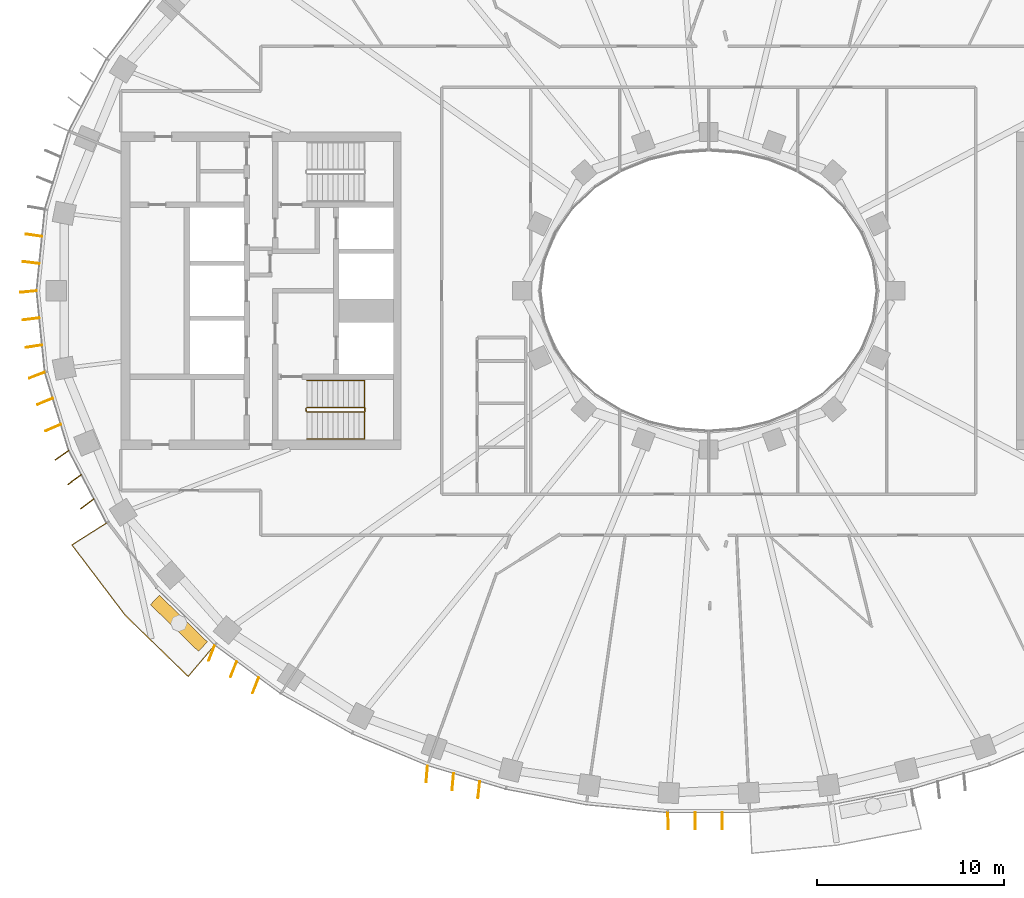
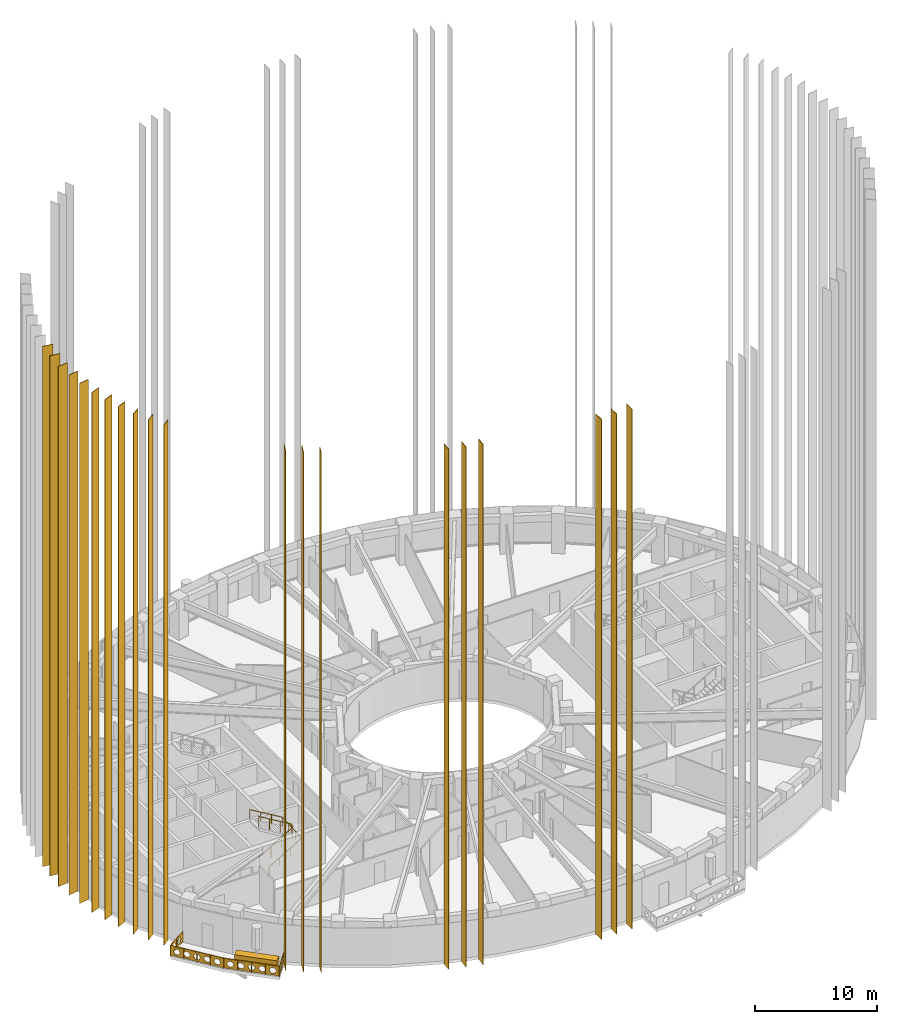
# One storey, part 14 of 19: 21 coverings, 3 railings.
"""IFC4 building model written with IfcOpenShell, lengths in metres."""

from ifc_helpers import new_model, si_unit, direction, frame, origin, origin_2d, place, context, subcontext, project, spatial, polyline, rectangle, outline, extrude, material, material_profile, profile_set, type_object, element, save


model = new_model("IFC4")

# Units and contexts
model_context = context("Model", 3, precision=1e-05, world=origin(), true_north=direction((0.0, 1.0)))
body_context = subcontext(model_context, "Body", "Model", "MODEL_VIEW")
ifc_project = project(units=[si_unit("LENGTHUNIT", "METRE"), si_unit("AREAUNIT", "SQUARE_METRE"), si_unit("VOLUMEUNIT", "CUBIC_METRE"), si_unit("PLANEANGLEUNIT", "RADIAN"), si_unit("MASSUNIT", "GRAM", prefix="KILO")], contexts=[model_context])

# Site, building, storey
site_placement = place(None, origin())
site = spatial("IfcSite", under=ifc_project, at=site_placement, CompositionType="ELEMENT")
building_placement = place(site_placement, origin())
building = spatial("IfcBuilding", under=site, at=building_placement, Name="Noorbagh Ring Tower", CompositionType="ELEMENT")
storey_placement = place(building_placement, frame((0.0, 0.0, 233.5)))
storey = spatial("IfcBuildingStorey", under=building, at=storey_placement, Name="L48", CompositionType="ELEMENT", Elevation=233.5)

# Railings
ifc_material_1 = material(Name="Stainless steel", Category="steel")
railing_type_1 = type_object("IfcRailingType", Name="CORE-STAIR-GUARD", PredefinedType="GUARDRAIL", material=ifc_material_1)
railing_1_placement = place(storey_placement, frame((-21.580078125, -6.449951171875, 0.0)))
element("IfcRailing", 1, at=railing_1_placement, inside=storey, type_object=railing_type_1, Name="L48 ST2 stair guard", PredefinedType="GUARDRAIL", context=body_context, shape_type="SweptSolid", body=[
    extrude(rectangle(XDim=0.048095703125, YDim=0.048095703125, at=origin_2d()), frame((0.0, 0.0, 1.076171875), z_axis=(0.0, 1.0, 0.0), x_axis=(-1.0, 0.0, 0.0)), (0.0, 0.0, 1.0), 0.14990234375),
    extrude(rectangle(XDim=0.048095703125, YDim=0.048095703125, at=origin_2d()), frame((0.0, 0.14990234375, 1.076171875), z_axis=(0.188775798145, -0.754182335027, 0.628945707965), x_axis=(0.970072785993, 0.242814311512, 0.0)), (0.0, 0.0, 1.0), 0.26513671875),
    extrude(rectangle(XDim=0.048095703125, YDim=0.048095703125, at=origin_2d()), frame((0.050048828125, -0.050048828125, 1.24267578125), z_axis=(0.859308565015, 0.0, 0.511457515432), x_axis=(0.0, 1.0, 0.0)), (0.0, 0.0, 1.0), 3.58447265625),
    extrude(rectangle(XDim=0.048095703125, YDim=0.048095703125, at=origin_2d()), frame((3.130126953125, -0.050048828125, 3.076171875), z_axis=(0.707106781187, 0.707106781187, 0.0), x_axis=(-0.707106781187, 0.707106781187, 0.0)), (0.0, 0.0, 1.0), 0.07080078125),
    extrude(rectangle(XDim=0.048095703125, YDim=0.048095703125, at=origin_2d()), frame((3.18017578125, 0.0, 3.076171875), z_axis=(0.0, 1.0, 0.0), x_axis=(-1.0, 0.0, 0.0)), (0.0, 0.0, 1.0), 0.14990234375),
    extrude(rectangle(XDim=0.048095703125, YDim=0.048095703125, at=origin_2d()), frame((3.18017578125, 0.14990234375, 3.076171875), z_axis=(-0.27628659633, 0.27628659633, 0.920506074601), x_axis=(-0.707106781187, -0.707106781187, 0.0)), (0.0, 0.0, 1.0), 0.18115234375),
    extrude(rectangle(XDim=0.048095703125, YDim=0.048095703125, at=origin_2d()), frame((3.130126953125, 0.199951171875, 3.24267578125), z_axis=(-0.859308565015, 0.0, 0.511457515432), x_axis=(0.0, -1.0, 0.0)), (0.0, 0.0, 1.0), 3.58447265625),
    extrude(rectangle(XDim=0.0419921875, YDim=0.0419921875, at=origin_2d()), origin(), (0.0, 0.0, 1.0), 1.052001953125),
    extrude(rectangle(XDim=0.0419921875, YDim=0.0419921875, at=origin_2d()), frame((1.07666015625, -0.050048828125, 0.77783203125)), (0.0, 0.0, 1.0), 1.052001953125),
    extrude(rectangle(XDim=0.0419921875, YDim=0.0419921875, at=origin_2d()), frame((2.103515625, -0.050048828125, 1.388916015625)), (0.0, 0.0, 1.0), 1.052001953125),
    extrude(rectangle(XDim=0.0419921875, YDim=0.0419921875, at=origin_2d()), frame((3.130126953125, -0.050048828125, 2.0)), (0.0, 0.0, 1.0), 1.052001953125),
    extrude(rectangle(XDim=0.0419921875, YDim=0.0419921875, at=origin_2d()), frame((3.130126953125, 0.199951171875, 2.166748046875)), (0.0, 0.0, 1.0), 1.052001953125),
    extrude(rectangle(XDim=0.0419921875, YDim=0.0419921875, at=origin_2d()), frame((2.103515625, 0.199951171875, 2.77783203125)), (0.0, 0.0, 1.0), 1.052001953125),
    extrude(rectangle(XDim=0.0419921875, YDim=0.0419921875, at=origin_2d()), frame((1.07666015625, 0.199951171875, 3.388916015625)), (0.0, 0.0, 1.0), 1.052001953125),
    extrude(rectangle(XDim=0.0419921875, YDim=0.0419921875, at=origin_2d()), frame((0.050048828125, 0.199951171875, 4.0)), (0.0, 0.0, 1.0), 1.052001953125),
])
ifc_material_2 = material(Name="Stainless steel", Category="steel")
railing_type_2 = type_object("IfcRailingType", Name="CORE-STAIR-HANDRAIL", PredefinedType="HANDRAIL", material=ifc_material_2)
railing_2_placement = place(storey_placement, frame((-21.530029296875, -7.949951171875, 0.166748046875)))
element("IfcRailing", 2, at=railing_2_placement, inside=storey, type_object=railing_type_2, Name="L48 ST2 stair handrail", PredefinedType="HANDRAIL", context=body_context, shape_type="SweptSolid", body=[
    extrude(rectangle(XDim=0.048095703125, YDim=0.048095703125, at=origin_2d()), frame((0.0, 0.0, 0.8759765625), z_axis=(0.859308565015, 0.0, 0.511457515432), x_axis=(0.0, 1.0, 0.0)), (0.0, 0.0, 1.0), 3.58447265625),
    extrude(rectangle(XDim=0.048095703125, YDim=0.048095703125, at=origin_2d()), frame((3.080078125, 0.0, 2.708984375), z_axis=(0.0, 0.998601747152, 0.052863509014), x_axis=(-1.0, 0.0, 0.0)), (0.0, 0.0, 1.0), 3.154296875),
    extrude(rectangle(XDim=0.048095703125, YDim=0.048095703125, at=origin_2d()), frame((3.080078125, 3.14990234375, 2.8759765625), z_axis=(-0.859308565015, 0.0, 0.511457515432), x_axis=(0.0, -1.0, 0.0)), (0.0, 0.0, 1.0), 3.58447265625),
    extrude(rectangle(XDim=0.0419921875, YDim=0.0419921875, at=origin_2d()), origin(), (0.0, 0.0, 1.0), 0.851806640625),
    extrude(rectangle(XDim=0.0419921875, YDim=0.0419921875, at=origin_2d()), frame((1.026611328125, 0.0, 0.611083984375)), (0.0, 0.0, 1.0), 0.851806640625),
    extrude(rectangle(XDim=0.0419921875, YDim=0.0419921875, at=origin_2d()), frame((2.053466796875, 0.0, 1.22216796875)), (0.0, 0.0, 1.0), 0.851806640625),
    extrude(rectangle(XDim=0.0419921875, YDim=0.0419921875, at=origin_2d()), frame((3.080078125, 0.0, 1.833251953125)), (0.0, 0.0, 1.0), 0.851806640625),
    extrude(rectangle(XDim=0.0419921875, YDim=0.0419921875, at=origin_2d()), frame((3.080078125, 1.050048828125, 1.888916015625)), (0.0, 0.0, 1.0), 0.851806640625),
    extrude(rectangle(XDim=0.0419921875, YDim=0.0419921875, at=origin_2d()), frame((3.080078125, 2.099853515625, 1.9443359375)), (0.0, 0.0, 1.0), 0.851806640625),
    extrude(rectangle(XDim=0.0419921875, YDim=0.0419921875, at=origin_2d()), frame((3.080078125, 3.14990234375, 2.0)), (0.0, 0.0, 1.0), 0.851806640625),
    extrude(rectangle(XDim=0.0419921875, YDim=0.0419921875, at=origin_2d()), frame((2.053466796875, 3.14990234375, 2.611083984375)), (0.0, 0.0, 1.0), 0.851806640625),
    extrude(rectangle(XDim=0.0419921875, YDim=0.0419921875, at=origin_2d()), frame((1.026611328125, 3.14990234375, 3.22216796875)), (0.0, 0.0, 1.0), 0.851806640625),
    extrude(rectangle(XDim=0.0419921875, YDim=0.0419921875, at=origin_2d()), frame((0.0, 3.14990234375, 3.833251953125)), (0.0, 0.0, 1.0), 0.851806640625),
])

# Coverings
ifc_material_3 = material(Name="Aluminium 6063-T6 black anodised", Category="aluminium")
ifc_material_profile = material_profile(ifc_material_3, rectangle(XDim=0.89990234375, YDim=0.050048828125, at=origin_2d()), Name="900x50")
ifc_profile_set = profile_set([ifc_material_profile], Name="Aluminium 6063-T6 black anodised")
covering_type_1 = type_object("IfcCoveringType", Name="ENV-FIN", PredefinedType="CLADDING", material=ifc_profile_set)
for number, where, z_axis, x_axis, name in (
    (3, (-36.154296875, 2.97216796875, -0.284912109375), (0.0, 0.0, 1.0), (-0.989102941421, 0.147225579543, 0.0), "Fin F23 2 L48-L60"),
    (4, (-36.30126953125, 1.5087890625, -0.284912109375), (0.0, 0.0, 1.0), (-0.992302876732, 0.12383457041, 0.0), "Fin F23 3 L48-L60"),
    (5, (-36.4482421875, -0.045166015625, -0.284912109375), (0.0, 0.0, 1.0), (-0.994969504864, -0.100178263068, 0.0), "Fin F24 1 L48-L60"),
    (6, (-36.30126953125, -1.5087890625, -0.284912109375), (0.0, 0.0, 1.0), (-0.992302876732, -0.12383457041, 0.0), "Fin F24 2 L48-L60"),
    (7, (-36.154296875, -2.97216796875, -0.284912109375), (0.0, 0.0, 1.0), (-0.989102941421, -0.147225579543, 0.0), "Fin F24 3 L48-L60"),
    (8, (-35.9833984375, -4.520751953125, -0.284912109375), (0.0, 0.0, 1.0), (-0.933362145395, -0.358936074453, 0.0), "Fin F25 1 L48-L60"),
    (9, (-35.553466796875, -5.92724609375, -0.284912109375), (0.0, 0.0, 1.0), (-0.925000661941, -0.379965492392, 0.0), "Fin F25 2 L48-L60"),
    (10, (-35.123291015625, -7.3330078125, -0.284912109375), (0.0, 0.0, 1.0), (-0.916474909008, -0.40009216583, 0.0), "Fin F25 3 L48-L60"),
    (11, (-34.651611328125, -8.810791015625, -0.284912109375), (0.0, 0.0, 1.0), (-0.815855460993, -0.57825588347, 0.0), "Fin F26 1 L48-L60"),
    (12, (-33.9716796875, -10.113525390625, -0.284912109375), (0.0, 0.0, 1.0), (-0.804260303023, -0.59427717858, 0.0), "Fin F26 2 L48-L60"),
    (13, (-33.291748046875, -11.415771484375, -0.284912109375), (0.0, 0.0, 1.0), (-0.793137535147, -0.609042568579, 0.0), "Fin F26 3 L48-L60"),
    (14, (-26.633544921875, -19.406982421875, -0.284912109375), (0.0, 0.0, 1.0), (-0.36956351025, -0.929205473451, 0.0), "Fin F29 1 L48-L60"),
    (15, (-25.455078125, -20.2744140625, -0.284912109375), (0.0, 0.0, 1.0), (-0.366046969104, -0.930596376745, 0.0), "Fin F29 2 L48-L60"),
    (16, (-24.277587890625, -21.1416015625, -0.284912109375), (0.0, 0.0, 1.0), (-0.364533046139, -0.931190452202, 0.0), "Fin F29 3 L48-L60"),
    (17, (-15.102294921875, -25.884521484375, -0.284912109375), (0.0, 0.0, 1.0), (-0.078357246483, -0.996925344208, 0.0), "Fin F32 1 L48-L60"),
    (18, (-13.708740234375, -26.304931640625, -0.284912109375), (0.0, 0.0, 1.0), (-0.092918421481, -0.995673725148, 0.0), "Fin F32 2 L48-L60"),
    (19, (-12.31591796875, -26.72509765625, -0.284912109375), (0.0, 0.0, 1.0), (-0.109101232004, -0.994030643982, 0.0), "Fin F32 3 L48-L60"),
    (20, (-2.17724609375, -28.399169921875, -0.284912109375), (0.0, 0.0, 1.0), (0.035640795498, -0.999364665023, 0.0), "Fin F35 1 L48-L60"),
    (21, (-0.7255859375, -28.398681640625, -0.284912109375), (0.0, 0.0, 1.0), (0.011915412219, -0.999929008956, 0.0), "Fin F35 2 L48-L60"),
    (22, (0.7255859375, -28.398681640625, -0.284912109375), (0.0, 0.0, 1.0), (-0.011915412219, -0.999929008956, 0.0), "Fin F35 3 L48-L60"),
):
    element("IfcCovering", number, at=place(storey_placement, frame(where, z_axis=z_axis, x_axis=x_axis)), inside=storey, type_object=covering_type_1, Name=name, ObjectType="FIN", PredefinedType="CLADDING", context=body_context, shape_type="SweptSolid", body=[
        extrude(rectangle(XDim=0.89990234375, YDim=0.050048828125, at=origin_2d()), origin(), (0.0, 0.0, 1.0), 51.969970703125),
    ])

# Railing
ifc_material_4 = material(Name="Steel S275 black powder-coated", Category="steel")
railing_type_3 = type_object("IfcRailingType", Name="ENV-GUARD", PredefinedType="GUARDRAIL", material=ifc_material_4)
railing_3_placement = place(storey_placement, frame((-32.255126953125, -12.434814453125, 0.0)))
element("IfcRailing", 23, at=railing_3_placement, inside=storey, type_object=railing_type_3, Name="Balcony guard BS01", PredefinedType="GUARDRAIL", context=body_context, shape_type="SweptSolid", body=[
    extrude(rectangle(XDim=0.048095703125, YDim=0.048095703125, at=origin_2d()), frame((0.0, 0.0, 1.076171875), z_axis=(-0.844852397829, -0.534999463442, 0.0), x_axis=(0.534999463442, -0.844852397829, 0.0)), (0.0, 0.0, 1.0), 2.207763671875),
    extrude(rectangle(XDim=0.048095703125, YDim=0.048095703125, at=origin_2d()), frame((-1.865234375, -1.18115234375, 1.076171875), z_axis=(0.604001613322, -0.796983093362, 0.0), x_axis=(0.796983093362, 0.604001613322, 0.0)), (0.0, 0.0, 1.0), 4.7353515625),
    extrude(rectangle(XDim=0.048095703125, YDim=0.048095703125, at=origin_2d()), frame((0.994873046875, -4.955078125, 1.076171875), z_axis=(0.717212632946, -0.696854388766, 0.0), x_axis=(0.696854388766, 0.717212632946, 0.0)), (0.0, 0.0, 1.0), 4.700927734375),
    extrude(rectangle(XDim=0.048095703125, YDim=0.048095703125, at=origin_2d()), frame((4.366455078125, -8.23095703125, 1.076171875), z_axis=(0.646413574048, 0.762987215677, 0.0), x_axis=(-0.762987215677, 0.646413574048, 0.0)), (0.0, 0.0, 1.0), 2.205322265625),
    extrude(rectangle(XDim=0.0419921875, YDim=0.0419921875, at=origin_2d()), origin(), (0.0, 0.0, 1.0), 1.052001953125),
    extrude(rectangle(XDim=0.0419921875, YDim=0.0419921875, at=origin_2d()), frame((-0.9326171875, -0.590576171875, 0.0)), (0.0, 0.0, 1.0), 1.052001953125),
    extrude(rectangle(XDim=0.0419921875, YDim=0.0419921875, at=origin_2d()), frame((-1.865234375, -1.18115234375, 0.0)), (0.0, 0.0, 1.0), 1.052001953125),
    extrude(rectangle(XDim=0.0419921875, YDim=0.0419921875, at=origin_2d()), frame((-1.150146484375, -2.12451171875, 0.0)), (0.0, 0.0, 1.0), 1.052001953125),
    extrude(rectangle(XDim=0.0419921875, YDim=0.0419921875, at=origin_2d()), frame((-0.43505859375, -3.068115234375, 0.0)), (0.0, 0.0, 1.0), 1.052001953125),
    extrude(rectangle(XDim=0.0419921875, YDim=0.0419921875, at=origin_2d()), frame((0.27978515625, -4.01171875, 0.0)), (0.0, 0.0, 1.0), 1.052001953125),
    extrude(rectangle(XDim=0.0419921875, YDim=0.0419921875, at=origin_2d()), frame((0.994873046875, -4.955078125, 0.0)), (0.0, 0.0, 1.0), 1.052001953125),
    extrude(rectangle(XDim=0.0419921875, YDim=0.0419921875, at=origin_2d()), frame((1.837890625, -5.77392578125, 0.0)), (0.0, 0.0, 1.0), 1.052001953125),
    extrude(rectangle(XDim=0.0419921875, YDim=0.0419921875, at=origin_2d()), frame((2.6806640625, -6.593017578125, 0.0)), (0.0, 0.0, 1.0), 1.052001953125),
    extrude(rectangle(XDim=0.0419921875, YDim=0.0419921875, at=origin_2d()), frame((3.5234375, -7.412109375, 0.0)), (0.0, 0.0, 1.0), 1.052001953125),
    extrude(rectangle(XDim=0.0419921875, YDim=0.0419921875, at=origin_2d()), frame((4.366455078125, -8.23095703125, 0.0)), (0.0, 0.0, 1.0), 1.052001953125),
    extrude(rectangle(XDim=0.0419921875, YDim=0.0419921875, at=origin_2d()), frame((5.0791015625, -7.3896484375, 0.0)), (0.0, 0.0, 1.0), 1.052001953125),
    extrude(rectangle(XDim=0.0419921875, YDim=0.0419921875, at=origin_2d()), frame((5.7919921875, -6.54833984375, 0.0)), (0.0, 0.0, 1.0), 1.052001953125),
    extrude(outline(polyline([(0.0, 0.10009765625), (2.207763671875, 0.10009765625), (2.207763671875, 1.031982421875), (0.0, 1.031982421875), (0.0, 0.10009765625)]), holes=[polyline([(0.9638671875, 0.56591796875), (0.808837890625, 0.83447265625), (0.498779296875, 0.83447265625), (0.343994140625, 0.56591796875), (0.498779296875, 0.297607421875), (0.808837890625, 0.297607421875), (0.9638671875, 0.56591796875)]), polyline([(1.86376953125, 0.56591796875), (1.708984375, 0.83447265625), (1.39892578125, 0.83447265625), (1.243896484375, 0.56591796875), (1.39892578125, 0.297607421875), (1.708984375, 0.297607421875), (1.86376953125, 0.56591796875)])]), frame((0.00537109375, -0.008544921875, 0.0), z_axis=(-0.534999463442, 0.844852397829, 0.0), x_axis=(-0.844852397829, -0.534999463442, 0.0)), (0.0, 0.0, 1.0), 0.02001953125),
    extrude(outline(polyline([(0.0, 0.10009765625), (4.7353515625, 0.10009765625), (4.7353515625, 1.031982421875), (0.0, 1.031982421875), (0.0, 0.10009765625)]), holes=[polyline([(0.877685546875, 0.56591796875), (0.72265625, 0.83447265625), (0.41259765625, 0.83447265625), (0.257568359375, 0.56591796875), (0.41259765625, 0.297607421875), (0.72265625, 0.297607421875), (0.877685546875, 0.56591796875)]), polyline([(1.777587890625, 0.56591796875), (1.62255859375, 0.83447265625), (1.312744140625, 0.83447265625), (1.15771484375, 0.56591796875), (1.312744140625, 0.297607421875), (1.62255859375, 0.297607421875), (1.777587890625, 0.56591796875)]), polyline([(2.677734375, 0.56591796875), (2.522705078125, 0.83447265625), (2.212646484375, 0.83447265625), (2.0576171875, 0.56591796875), (2.212646484375, 0.297607421875), (2.522705078125, 0.297607421875), (2.677734375, 0.56591796875)]), polyline([(3.57763671875, 0.56591796875), (3.422607421875, 0.83447265625), (3.112548828125, 0.83447265625), (2.95751953125, 0.56591796875), (3.112548828125, 0.297607421875), (3.422607421875, 0.297607421875), (3.57763671875, 0.56591796875)]), polyline([(4.4775390625, 0.56591796875), (4.32275390625, 0.83447265625), (4.0126953125, 0.83447265625), (3.857666015625, 0.56591796875), (4.0126953125, 0.297607421875), (4.32275390625, 0.297607421875), (4.4775390625, 0.56591796875)])]), frame((-1.857177734375, -1.175048828125, 0.0), z_axis=(-0.796983093362, -0.604001613322, 0.0), x_axis=(0.604001613322, -0.796983093362, 0.0)), (0.0, 0.0, 1.0), 0.02001953125),
    extrude(outline(polyline([(0.0, 0.10009765625), (4.700927734375, 0.10009765625), (4.700927734375, 1.031982421875), (0.0, 1.031982421875), (0.0, 0.10009765625)]), holes=[polyline([(0.860595703125, 0.56591796875), (0.70556640625, 0.83447265625), (0.3955078125, 0.83447265625), (0.240478515625, 0.56591796875), (0.3955078125, 0.297607421875), (0.70556640625, 0.297607421875), (0.860595703125, 0.56591796875)]), polyline([(1.760498046875, 0.56591796875), (1.60546875, 0.83447265625), (1.29541015625, 0.83447265625), (1.140380859375, 0.56591796875), (1.29541015625, 0.297607421875), (1.60546875, 0.297607421875), (1.760498046875, 0.56591796875)]), polyline([(2.660400390625, 0.56591796875), (2.50537109375, 0.83447265625), (2.195556640625, 0.83447265625), (2.04052734375, 0.56591796875), (2.195556640625, 0.297607421875), (2.50537109375, 0.297607421875), (2.660400390625, 0.56591796875)]), polyline([(3.560546875, 0.56591796875), (3.405517578125, 0.83447265625), (3.095458984375, 0.83447265625), (2.9404296875, 0.56591796875), (3.095458984375, 0.297607421875), (3.405517578125, 0.297607421875), (3.560546875, 0.56591796875)]), polyline([(4.46044921875, 0.56591796875), (4.305419921875, 0.83447265625), (3.995361328125, 0.83447265625), (3.840576171875, 0.56591796875), (3.995361328125, 0.297607421875), (4.305419921875, 0.297607421875), (4.46044921875, 0.56591796875)])]), frame((1.001953125, -4.947998046875, 0.0), z_axis=(-0.696854388766, -0.717212632946, 0.0), x_axis=(0.717212632946, -0.696854388766, 0.0)), (0.0, 0.0, 1.0), 0.02001953125),
    extrude(outline(polyline([(0.0, 0.10009765625), (2.205322265625, 0.10009765625), (2.205322265625, 1.031982421875), (0.0, 1.031982421875), (0.0, 0.10009765625)]), holes=[polyline([(0.962646484375, 0.56591796875), (0.8076171875, 0.83447265625), (0.49755859375, 0.83447265625), (0.342529296875, 0.56591796875), (0.49755859375, 0.297607421875), (0.8076171875, 0.297607421875), (0.962646484375, 0.56591796875)]), polyline([(1.862548828125, 0.56591796875), (1.707763671875, 0.83447265625), (1.397705078125, 0.83447265625), (1.24267578125, 0.56591796875), (1.397705078125, 0.297607421875), (1.707763671875, 0.297607421875), (1.862548828125, 0.56591796875)])]), frame((4.35888671875, -8.224609375, 0.0), z_axis=(0.762987215677, -0.646413574048, 0.0), x_axis=(0.646413574048, 0.762987215677, 0.0)), (0.0, 0.0, 1.0), 0.02001953125),
])

# Covering
ifc_material_5 = material(Name="Concrete C30/37 planter with soil", Category="concrete")
covering_type_2 = type_object("IfcCoveringType", Name="ENV-PLANTER", PredefinedType="CLADDING", material=ifc_material_5)
covering_placement = place(storey_placement, frame((-28.3837890625, -17.814208984375, 0.0), z_axis=(0.0, 0.0, 1.0), x_axis=(0.717224548362, -0.696842125038, 0.0)))
element("IfcCovering", 24, at=covering_placement, inside=storey, type_object=covering_type_2, Name="PLANTER BS01", ObjectType="PLANTER", PredefinedType="CLADDING", context=body_context, shape_type="SweptSolid", body=[
    extrude(rectangle(XDim=3.584228515625, YDim=0.699951171875, at=origin_2d()), origin(), (0.0, 0.0, 1.0), 0.60009765625),
])

save(model, "model.ifc")
